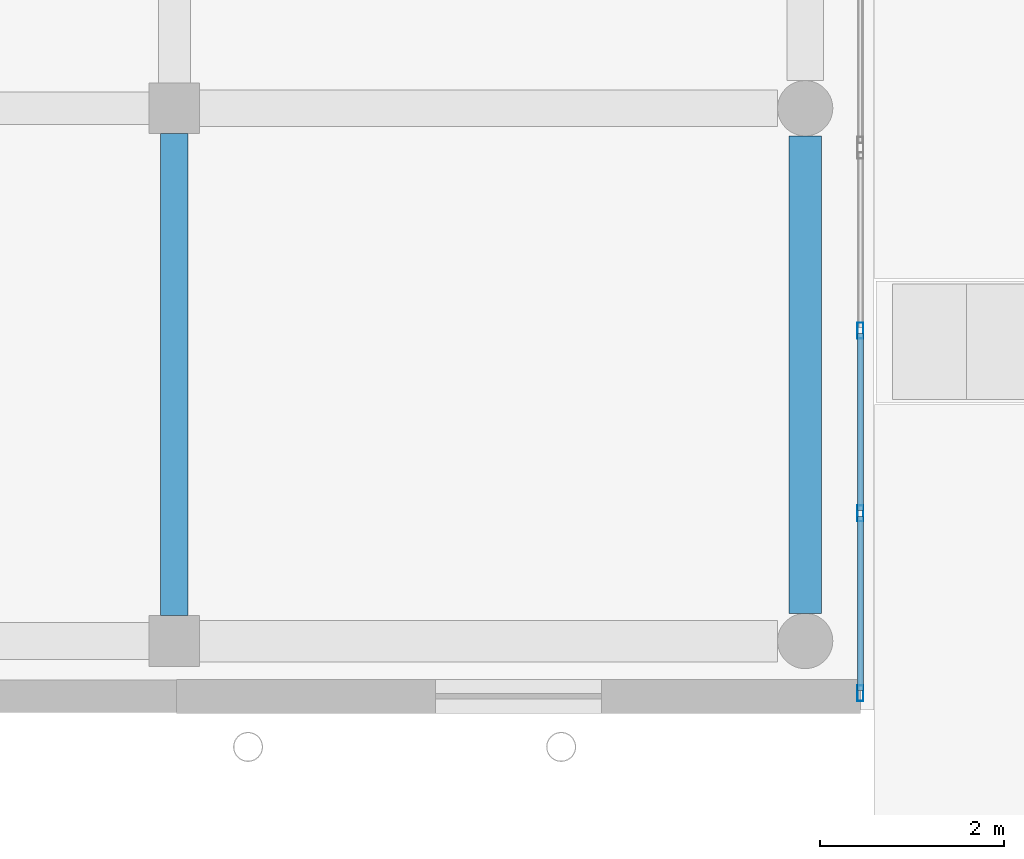
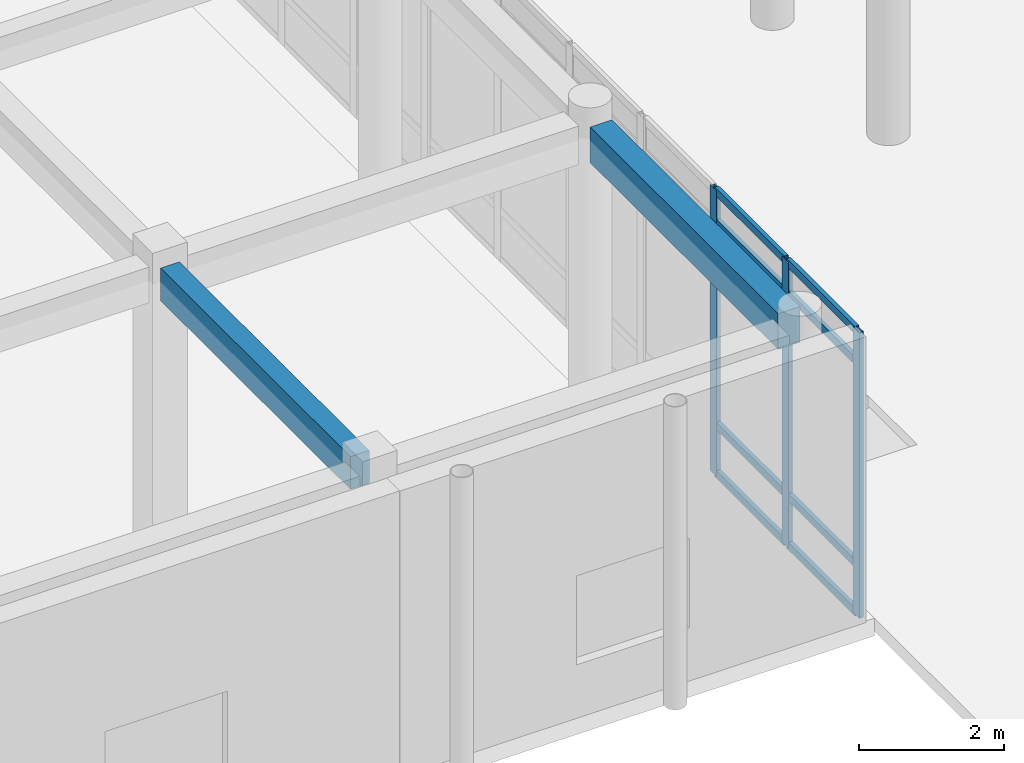
# One storey, part 21 of 121: 11 members, 2 beams, 1 element without a shape of its own.
"""IFC4 building model written with IfcOpenShell, lengths in metres."""

from ifc_helpers import new_model, si_unit, direction, frame, origin, origin_2d, place, context, subcontext, project, spatial, rectangle, hollow_rectangle, extrude, material, layer, layer_set, material_profile, profile_set, type_object, element, aggregate, save


model = new_model("IFC4")

# Units and contexts
model_context = context("Model", 3, precision=1e-05, world=origin(), true_north=direction((0.0, 1.0)))
body_context = subcontext(model_context, "Body", "Model", "MODEL_VIEW")
ifc_project = project(units=[si_unit("LENGTHUNIT", "METRE"), si_unit("AREAUNIT", "SQUARE_METRE"), si_unit("VOLUMEUNIT", "CUBIC_METRE"), si_unit("PLANEANGLEUNIT", "RADIAN"), si_unit("MASSUNIT", "GRAM", prefix="KILO")], contexts=[model_context])

# Site, building, storey
site_placement = place(None, origin())
site = spatial("IfcSite", under=ifc_project, at=site_placement, CompositionType="ELEMENT")
building_placement = place(site_placement, origin())
building = spatial("IfcBuilding", under=site, at=building_placement, Name="Valcora Specialist Clinic", CompositionType="ELEMENT")
storey_placement = place(building_placement, origin())
storey = spatial("IfcBuildingStorey", under=building, at=storey_placement, Name="L00", CompositionType="ELEMENT", Elevation=0.0)

# Beams
ifc_material_1 = material(Name="Concrete C40/50", Category="concrete")
ifc_material_profile_1 = material_profile(ifc_material_1, rectangle(XDim=0.300048828125, YDim=0.550048828125, at=origin_2d()), Name="RC-BM-300X550")
ifc_profile_set_1 = profile_set([ifc_material_profile_1], Name="Concrete C40/50")
beam_type_1 = type_object("IfcBeamType", Name="TY-BM-RC300X550", PredefinedType="BEAM", material=ifc_profile_set_1)
beam_1_placement = place(storey_placement, frame((22.39990234375, 39.02490234375, 4.534912109375), z_axis=(0.0, 1.0, 0.0), x_axis=(-1.0, 0.0, 0.0)))
element("IfcBeam", 1, at=beam_1_placement, inside=storey, type_object=beam_type_1, Name="Beam BM-L00-0119", PredefinedType="BEAM", context=body_context, shape_type="SweptSolid", body=[
    extrude(rectangle(XDim=0.300048828125, YDim=0.550048828125, at=origin_2d()), origin(), (0.0, 0.0, 1.0), 5.236083984375),
])
ifc_material_profile_2 = material_profile(ifc_material_1, rectangle(XDim=0.35009765625, YDim=0.60009765625, at=origin_2d()), Name="RC-BM-350X600")
ifc_profile_set_2 = profile_set([ifc_material_profile_2], Name="Concrete C40/50")
beam_type_2 = type_object("IfcBeamType", Name="TY-BM-RC350X600", PredefinedType="BEAM", material=ifc_profile_set_2)
beam_2_placement = place(storey_placement, frame((29.25, 39.050048828125, 4.510009765625), z_axis=(0.0, 1.0, 0.0), x_axis=(-1.0, 0.0, 0.0)))
element("IfcBeam", 2, at=beam_2_placement, inside=storey, type_object=beam_type_2, Name="Beam BM-L00-0126", PredefinedType="BEAM", context=body_context, shape_type="SweptSolid", body=[
    extrude(rectangle(XDim=0.35009765625, YDim=0.60009765625, at=origin_2d()), origin(), (0.0, 0.0, 1.0), 5.18603515625),
])

# Curtain wall, members
ifc_material_2 = material(Name="Anodized Bronze Aluminium 6063-T6", Category="aluminium")
ifc_layer = layer(ifc_material_2, 0.175048828125)
ifc_layer_set = layer_set([ifc_layer], Name="Anodized Bronze Aluminium 6063-T6")
curtain_wall_type = type_object("IfcCurtainWallType", Name="TY-CW-HAL18", PredefinedType="NOTDEFINED", material=ifc_layer_set)
curtain_wall_placement = place(storey_placement, origin())
curtain_wall = element("IfcCurtainWall", 3, at=curtain_wall_placement, inside=storey, type_object=curtain_wall_type, Name="Curtain wall CW-L00-007", PredefinedType="NOTDEFINED")
ifc_material_profile_3 = material_profile(ifc_material_2, hollow_rectangle(XDim=0.06494140625, YDim=0.175048828125, WallThickness=0.00390625, at=origin_2d()), Name="AL-MUL-65X175")
ifc_profile_set_3 = profile_set([ifc_material_profile_3], Name="Anodized Bronze Aluminium 6063-T6")
member_type_1 = type_object("IfcMemberType", Name="TY-CWM-65X175", PredefinedType="MULLION", material=ifc_profile_set_3)
member_1_placement = place(storey_placement, frame((29.85009765625, 42.121337890625, 0.0), z_axis=(0.0, 0.0, 1.0), x_axis=(1.0, 0.0, 0.0)))
member_1 = element("IfcMember", 4, at=member_1_placement, type_object=member_type_1, Name="CW-HAL-18 mullion 2", PredefinedType="MULLION", context=body_context, shape_type="SweptSolid", body=[
    extrude(hollow_rectangle(XDim=0.06494140625, YDim=0.175048828125, WallThickness=0.00390625, at=origin_2d()), origin(), (0.0, 0.0, 1.0), 4.81005859375),
])
member_2_placement = place(storey_placement, frame((29.85009765625, 40.1357421875, 0.0), z_axis=(0.0, 0.0, 1.0), x_axis=(1.0, 0.0, 0.0)))
member_2 = element("IfcMember", 5, at=member_2_placement, type_object=member_type_1, Name="CW-HAL-18 mullion 3", PredefinedType="MULLION", context=body_context, shape_type="SweptSolid", body=[
    extrude(hollow_rectangle(XDim=0.06494140625, YDim=0.175048828125, WallThickness=0.00390625, at=origin_2d()), origin(), (0.0, 0.0, 1.0), 4.81005859375),
])
member_3_placement = place(storey_placement, frame((29.85009765625, 38.1826171875, 0.0), z_axis=(0.0, 0.0, 1.0), x_axis=(1.0, 0.0, 0.0)))
member_3 = element("IfcMember", 6, at=member_3_placement, type_object=member_type_1, Name="CW-HAL-18 mullion 4", PredefinedType="MULLION", context=body_context, shape_type="SweptSolid", body=[
    extrude(hollow_rectangle(XDim=0.06494140625, YDim=0.175048828125, WallThickness=0.00390625, at=origin_2d()), origin(), (0.0, 0.0, 1.0), 4.81005859375),
])
ifc_material_profile_4 = material_profile(ifc_material_2, hollow_rectangle(XDim=0.06494140625, YDim=0.1298828125, WallThickness=0.00390625, at=origin_2d()), Name="AL-TRN-65X130")
ifc_profile_set_4 = profile_set([ifc_material_profile_4], Name="Anodized Bronze Aluminium 6063-T6")
member_type_2 = type_object("IfcMemberType", Name="TY-CWT-65X130", PredefinedType="USERDEFINED", material=ifc_profile_set_4)
member_4_placement = place(storey_placement, frame((29.85009765625, 42.0888671875, 0.032470703125), z_axis=(0.0, -1.0, 0.0), x_axis=(1.0, 0.0, 0.0)))
member_4 = element("IfcMember", 7, at=member_4_placement, type_object=member_type_2, Name="CW-HAL-18 transom 2.1", ObjectType="TRANSOM", PredefinedType="USERDEFINED", context=body_context, shape_type="SweptSolid", body=[
    extrude(hollow_rectangle(XDim=0.06494140625, YDim=0.1298828125, WallThickness=0.00390625, at=origin_2d()), origin(), (0.0, 0.0, 1.0), 1.920654296875),
])
member_5_placement = place(storey_placement, frame((29.85009765625, 42.0888671875, 0.85009765625), z_axis=(0.0, -1.0, 0.0), x_axis=(1.0, 0.0, 0.0)))
member_5 = element("IfcMember", 8, at=member_5_placement, type_object=member_type_2, Name="CW-HAL-18 transom 2.2", ObjectType="TRANSOM", PredefinedType="USERDEFINED", context=body_context, shape_type="SweptSolid", body=[
    extrude(hollow_rectangle(XDim=0.06494140625, YDim=0.1298828125, WallThickness=0.00390625, at=origin_2d()), origin(), (0.0, 0.0, 1.0), 1.920654296875),
])
member_6_placement = place(storey_placement, frame((29.85009765625, 42.0888671875, 4.260009765625), z_axis=(0.0, -1.0, 0.0), x_axis=(1.0, 0.0, 0.0)))
member_6 = element("IfcMember", 9, at=member_6_placement, type_object=member_type_2, Name="CW-HAL-18 transom 2.3", ObjectType="TRANSOM", PredefinedType="USERDEFINED", context=body_context, shape_type="SweptSolid", body=[
    extrude(hollow_rectangle(XDim=0.06494140625, YDim=0.1298828125, WallThickness=0.00390625, at=origin_2d()), origin(), (0.0, 0.0, 1.0), 1.920654296875),
])
member_7_placement = place(storey_placement, frame((29.85009765625, 42.0888671875, 4.777587890625), z_axis=(0.0, -1.0, 0.0), x_axis=(1.0, 0.0, 0.0)))
member_7 = element("IfcMember", 10, at=member_7_placement, type_object=member_type_2, Name="CW-HAL-18 transom 2.4", ObjectType="TRANSOM", PredefinedType="USERDEFINED", context=body_context, shape_type="SweptSolid", body=[
    extrude(hollow_rectangle(XDim=0.06494140625, YDim=0.1298828125, WallThickness=0.00390625, at=origin_2d()), origin(), (0.0, 0.0, 1.0), 1.920654296875),
])
member_8_placement = place(storey_placement, frame((29.85009765625, 40.103271484375, 0.032470703125), z_axis=(0.0, -1.0, 0.0), x_axis=(1.0, 0.0, 0.0)))
member_8 = element("IfcMember", 11, at=member_8_placement, type_object=member_type_2, Name="CW-HAL-18 transom 3.1", ObjectType="TRANSOM", PredefinedType="USERDEFINED", context=body_context, shape_type="SweptSolid", body=[
    extrude(hollow_rectangle(XDim=0.06494140625, YDim=0.1298828125, WallThickness=0.00390625, at=origin_2d()), origin(), (0.0, 0.0, 1.0), 1.88818359375),
])
member_9_placement = place(storey_placement, frame((29.85009765625, 40.103271484375, 0.85009765625), z_axis=(0.0, -1.0, 0.0), x_axis=(1.0, 0.0, 0.0)))
member_9 = element("IfcMember", 12, at=member_9_placement, type_object=member_type_2, Name="CW-HAL-18 transom 3.2", ObjectType="TRANSOM", PredefinedType="USERDEFINED", context=body_context, shape_type="SweptSolid", body=[
    extrude(hollow_rectangle(XDim=0.06494140625, YDim=0.1298828125, WallThickness=0.00390625, at=origin_2d()), origin(), (0.0, 0.0, 1.0), 1.88818359375),
])
member_10_placement = place(storey_placement, frame((29.85009765625, 40.103271484375, 4.260009765625), z_axis=(0.0, -1.0, 0.0), x_axis=(1.0, 0.0, 0.0)))
member_10 = element("IfcMember", 13, at=member_10_placement, type_object=member_type_2, Name="CW-HAL-18 transom 3.3", ObjectType="TRANSOM", PredefinedType="USERDEFINED", context=body_context, shape_type="SweptSolid", body=[
    extrude(hollow_rectangle(XDim=0.06494140625, YDim=0.1298828125, WallThickness=0.00390625, at=origin_2d()), origin(), (0.0, 0.0, 1.0), 1.88818359375),
])
member_11_placement = place(storey_placement, frame((29.85009765625, 40.103271484375, 4.777587890625), z_axis=(0.0, -1.0, 0.0), x_axis=(1.0, 0.0, 0.0)))
member_11 = element("IfcMember", 14, at=member_11_placement, type_object=member_type_2, Name="CW-HAL-18 transom 3.4", ObjectType="TRANSOM", PredefinedType="USERDEFINED", context=body_context, shape_type="SweptSolid", body=[
    extrude(hollow_rectangle(XDim=0.06494140625, YDim=0.1298828125, WallThickness=0.00390625, at=origin_2d()), origin(), (0.0, 0.0, 1.0), 1.88818359375),
])
aggregate(curtain_wall, [member_1, member_2, member_3, member_4, member_5, member_6, member_7, member_8, member_9, member_10, member_11])

save(model, "model.ifc")
